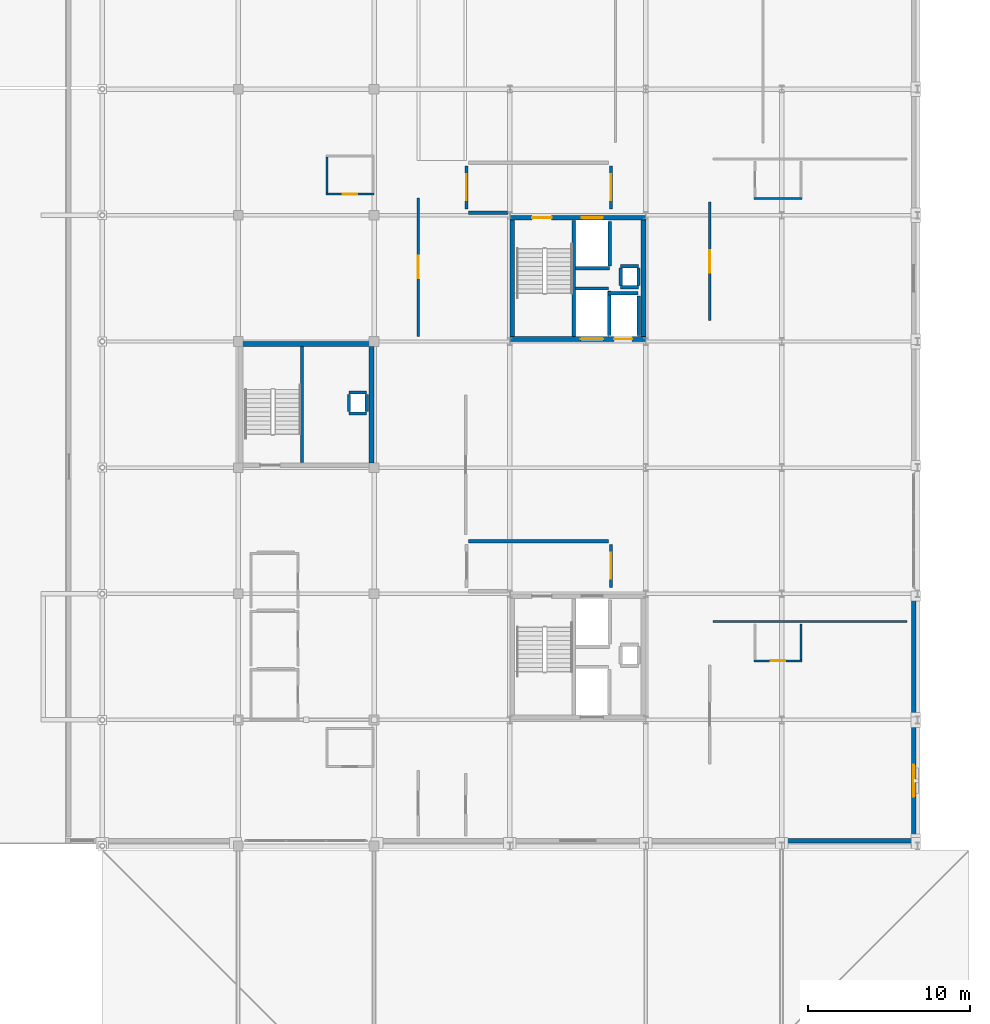
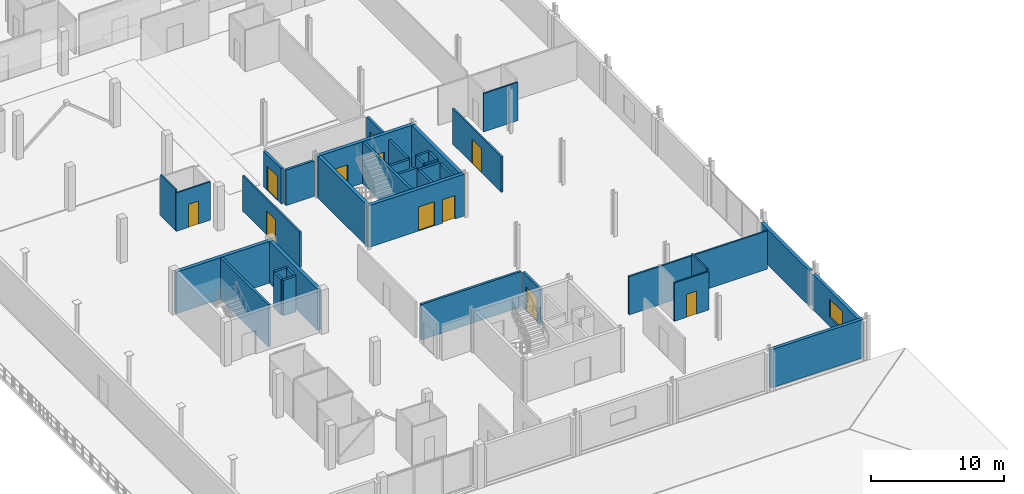
# One storey, part 17 of 25: 38 walls, 11 doors, 1 window, 12 openings.
"""IFC4 building model written with IfcOpenShell, lengths in metres."""

import ifcopenshell
import ifcopenshell.guid

model = None  # the IFC model being written
_history = None  # IfcOwnerHistory: only IFC2X3 demands one
_inside = {}  # id of a spatial element -> (the spatial element, [elements in it])
_under = {}  # id of a project, library or spatial element -> (it, [spatial elements below it])
_declared = {}  # id of a project -> (the project, [libraries it declares])
_typed = {}  # id of a type object -> (the type object, [elements of that type])
_made_of = {}  # id of a material, layer set ... -> (it, [elements and type objects made of it])


def new_model(schema):
    """Start an empty IFC model of exactly this schema.

    Asked for "IFC4X3", IfcOpenShell would pick the latest addendum, in which some entities
    have other attributes; the version numbers below select the first issue.
    IFC2X3 requires an IfcOwnerHistory on every rooted entity: one is made here for all.
    """
    global model, _history
    if schema == "IFC4X3":
        model = ifcopenshell.file(schema_version=(4, 3, 0, 0))
    else:
        model = ifcopenshell.file(schema=schema)
    _inside.clear()
    _under.clear()
    _declared.clear()
    _typed.clear()
    _made_of.clear()
    _history = None
    if model.schema == "IFC2X3":
        org = make("IfcOrganization", Name="unknown")
        user = make(
            "IfcPersonAndOrganization",
            ThePerson=make("IfcPerson", FamilyName="unknown"),
            TheOrganization=org,
        )
        app = make(
            "IfcApplication",
            ApplicationDeveloper=org,
            Version="unknown",
            ApplicationFullName="unknown",
            ApplicationIdentifier="unknown",
        )
        _history = make(
            "IfcOwnerHistory",
            OwningUser=user,
            OwningApplication=app,
            ChangeAction="ADDED",
            CreationDate=0,
        )
    return model


def make(cls, **values):
    """One entity of the class cls with the attributes given. An attribute that is None is left unset."""
    return model.create_entity(
        cls, **{name: value for name, value in values.items() if value is not None}
    )


def rooted(cls, **values):
    """An entity with a GlobalId (a new one), such as an element, a storey or a relation."""
    return make(cls, GlobalId=ifcopenshell.guid.new(), OwnerHistory=_history, **values)


def si_unit(unit_type, name, prefix=None):
    """IfcSIUnit, for example si_unit("LENGTHUNIT", "METRE", prefix="MILLI")."""
    return make("IfcSIUnit", UnitType=unit_type, Prefix=prefix, Name=name)


def assignment(units):
    """IfcUnitAssignment: the units of a project."""
    return None if units is None else make("IfcUnitAssignment", Units=units)


def point(xyz):
    """IfcCartesianPoint."""
    return None if xyz is None else make("IfcCartesianPoint", Coordinates=xyz)


def direction(xyz):
    """IfcDirection."""
    return None if xyz is None else make("IfcDirection", DirectionRatios=xyz)


def frame(location, z_axis=None, x_axis=None):
    """IfcAxis2Placement3D, a coordinate frame: its origin and axes. An axis left out is left unset."""
    return make(
        "IfcAxis2Placement3D",
        Location=point(location),
        Axis=direction(z_axis),
        RefDirection=direction(x_axis),
    )


def frame_2d(location, x_axis=None):
    """IfcAxis2Placement2D, a coordinate frame in the plane: its origin and x axis."""
    return make(
        "IfcAxis2Placement2D", Location=point(location), RefDirection=direction(x_axis)
    )


def origin():
    """The frame at (0, 0, 0) with its axes left unset."""
    return frame((0.0, 0.0, 0.0))


def place(relative_to, where):
    """IfcLocalPlacement: puts the frame where relative to a parent placement (None: the world)."""
    return make(
        "IfcLocalPlacement", PlacementRelTo=relative_to, RelativePlacement=where
    )


def context(
    kind, dimensions, precision=None, world=None, true_north=None, identifier=None
):
    """IfcGeometricRepresentationContext, for example the 3D "Model" context."""
    return make(
        "IfcGeometricRepresentationContext",
        ContextIdentifier=identifier,
        ContextType=kind,
        CoordinateSpaceDimension=dimensions,
        Precision=precision,
        WorldCoordinateSystem=world,
        TrueNorth=true_north,
    )


def subcontext(parent, identifier, kind, view, scale=None):
    """IfcGeometricRepresentationSubContext, for example "Body" below "Model"."""
    return make(
        "IfcGeometricRepresentationSubContext",
        ContextIdentifier=identifier,
        ContextType=kind,
        ParentContext=parent,
        TargetScale=scale,
        TargetView=view,
    )


def project(units=None, contexts=None):
    """IfcProject with its units and contexts."""
    return rooted(
        "IfcProject",
        Name="project",
        RepresentationContexts=contexts,
        UnitsInContext=assignment(units),
    )


def spatial(cls, under=None, at=None, **own):
    """A site, building, storey or space (cls), placed at a placement, below another one or the project."""
    s = rooted(cls, ObjectPlacement=at, **own)
    if under is not None:
        _under.setdefault(under.id(), (under, []))[1].append(s)
    return s


def profile(cls, at=None, kind="AREA", **sizes):
    """A parametric profile (cls). Its sizes go by their IFC names, for example OverallWidth=200.0."""
    return make(cls, ProfileType=kind, Position=at, **sizes)


def rectangle(**sizes):
    """IfcRectangleProfileDef."""
    return profile("IfcRectangleProfileDef", **sizes)


def extrude(swept, where, along, depth):
    """IfcExtrudedAreaSolid: the profile swept, set in the frame where, extruded along a direction by depth."""
    return make(
        "IfcExtrudedAreaSolid",
        SweptArea=swept,
        Position=where,
        ExtrudedDirection=direction(along),
        Depth=depth,
    )


def shape(context_of_items, identifier, shape_type, items):
    """IfcShapeRepresentation: the items that make up one representation, for example the "Body"."""
    return make(
        "IfcShapeRepresentation",
        ContextOfItems=context_of_items,
        RepresentationIdentifier=identifier,
        RepresentationType=shape_type,
        Items=items,
    )


def material(Name=None, Category=None):
    """IfcMaterial."""
    return make("IfcMaterial", Name=Name, Category=Category)


def layer(
    of_material, thickness, ventilated=None, Name=None, Category=None, Priority=None
):
    """IfcMaterialLayer: one layer of a wall or slab, of a material (None: an air gap)."""
    return make(
        "IfcMaterialLayer",
        Material=of_material,
        LayerThickness=thickness,
        IsVentilated=ventilated,
        Name=Name,
        Category=Category,
        Priority=Priority,
    )


def layer_set(layers, Name=None):
    """IfcMaterialLayerSet."""
    return make("IfcMaterialLayerSet", MaterialLayers=layers, LayerSetName=Name)


def made_of(thing, what):
    """Note that an element or type object is made of a material, layer set ...; save() writes the relation."""
    if what is not None:
        _made_of.setdefault(what.id(), (what, []))[1].append(thing)
    return thing


def type_object(cls, material=None, **own):
    """A type object (cls), such as IfcWallType, which elements share."""
    return made_of(rooted(cls, **own), material)


def element(
    cls,
    number,
    at=None,
    inside=None,
    cuts=None,
    type_object=None,
    material=None,
    context=None,
    identifier="Body",
    shape_type=None,
    held_by="IfcProductDefinitionShape",
    body=None,
    shapes=None,
    **own,
):
    """One element of the class cls, such as IfcWall. Its Tag is "e" and its number.

    at: its placement. inside: the storey or other place that contains it. cuts: it is an
    opening in that element (IfcRelVoidsElement). A single representation is given by context,
    identifier, shape_type and body (its items); several are given by shapes. held_by: the class
    of the entity that holds the representations. save() writes the other relations.
    """
    e = rooted(cls, Tag="e%d" % number, ObjectPlacement=at, **own)
    if body is not None:
        shapes = [shape(context, identifier, shape_type, body)]
    if shapes is not None:
        e.Representation = make(held_by, Representations=shapes)
    if inside is not None:
        _inside.setdefault(inside.id(), (inside, []))[1].append(e)
    if cuts is not None:
        rooted(
            "IfcRelVoidsElement", RelatingBuildingElement=cuts, RelatedOpeningElement=e
        )
    if type_object is not None:
        _typed.setdefault(type_object.id(), (type_object, []))[1].append(e)
    return made_of(e, material)


def fill(opening, filler):
    """IfcRelFillsElement: the door or window that sits in an opening."""
    return rooted(
        "IfcRelFillsElement",
        RelatingOpeningElement=opening,
        RelatedBuildingElement=filler,
    )


def aggregate(whole, parts):
    """IfcRelAggregates: a whole, such as a stair, and the parts it consists of."""
    return rooted("IfcRelAggregates", RelatingObject=whole, RelatedObjects=parts)


def save(model, path):
    """Write the relations noted so far, then the file.

    IfcRelAggregates (storeys below a building ...), IfcRelContainedInSpatialStructure (elements
    in a storey), IfcRelDefinesByType, IfcRelAssociatesMaterial and IfcRelDeclares: one each for
    every whole, place, type object, material and project.
    """
    for whole, parts in _under.values():
        aggregate(whole, parts)
    for where, things in _inside.values():
        rooted(
            "IfcRelContainedInSpatialStructure",
            RelatedElements=things,
            RelatingStructure=where,
        )
    for kind, things in _typed.values():
        rooted("IfcRelDefinesByType", RelatedObjects=things, RelatingType=kind)
    for what, things in _made_of.values():
        rooted("IfcRelAssociatesMaterial", RelatedObjects=things, RelatingMaterial=what)
    for by, libraries in _declared.values():
        rooted("IfcRelDeclares", RelatingContext=by, RelatedDefinitions=libraries)
    model.write(path)


model = new_model("IFC4")

# Units and contexts
model_context = context("Model", 3, precision=1e-05, world=origin(), true_north=direction((0.0, 1.0)))
body_context = subcontext(model_context, "Body", "Model", "MODEL_VIEW")
ifc_project = project(units=[si_unit("LENGTHUNIT", "METRE"), si_unit("AREAUNIT", "SQUARE_METRE"), si_unit("VOLUMEUNIT", "CUBIC_METRE"), si_unit("PLANEANGLEUNIT", "RADIAN"), si_unit("MASSUNIT", "GRAM", prefix="KILO")], contexts=[model_context])

# Site, building, storey
site_placement = place(None, origin())
site = spatial("IfcSite", under=ifc_project, at=site_placement, CompositionType="ELEMENT")
building_placement = place(site_placement, origin())
building = spatial("IfcBuilding", under=site, at=building_placement, Name="Nabrawat Pavilion Hospital", CompositionType="ELEMENT")
storey_placement = place(building_placement, frame((0.0, 0.0, 22.949951171875)))
storey = spatial("IfcBuildingStorey", under=building, at=storey_placement, Name="L05", CompositionType="ELEMENT", Elevation=22.949951171875)

# Wall, opening, door
ifc_material_1 = material(Name="Gypsum Fireboard on Steel Stud", Category="steel")
ifc_layer_1 = layer(ifc_material_1, 0.14990234375, Name="Gypsum Fireboard on Steel Stud")
ifc_layer_set_1 = layer_set([ifc_layer_1], Name="Gypsum Fireboard on Steel Stud")
wall_type_1 = type_object("IfcWallType", Name="Clinical Corridor Smoke-Barrier Wall 150", PredefinedType="PARTITIONING", material=ifc_layer_set_1)
wall_1_placement = place(storey_placement, frame((162.3349609375, 70.52001953125, 0.0), z_axis=(0.0, 0.0, 1.0), x_axis=(0.0, 1.0, 0.0)))
wall_1 = element("IfcWall", 1, at=wall_1_placement, inside=storey, type_object=wall_type_1, Name="L05 Inpatient Ward Supportive Care Suite L05-02 Front Partition", PredefinedType="PARTITIONING", context=body_context, shape_type="SweptSolid", body=[
    extrude(rectangle(XDim=8.550048828125, YDim=0.14990234375, at=frame_2d((4.27490234375, 0.0))), origin(), (0.0, 0.0, 1.0), 3.25),
])
opening_1_placement = place(wall_1_placement, frame((3.574951171875, 0.0, 0.0)))
opening_1 = element("IfcOpeningElement", 2, at=opening_1_placement, cuts=wall_1, Name="Opening D-BED", PredefinedType="OPENING", context=body_context, shape_type="SweptSolid", body=[
    extrude(rectangle(XDim=1.39990234375, YDim=2.199951171875, at=frame_2d((0.699951171875, 1.10009765625))), frame((0.0, 0.0849609375, 0.0), z_axis=(0.0, -1.0, 0.0), x_axis=(1.0, 0.0, 0.0)), (0.0, 0.0, 1.0), 0.169921875),
])
ifc_material_2 = material(Name="Stainless-Clad Acoustic Timber and Vision Glass", Category="wood")
door_type_1 = type_object("IfcDoorType", Name="D-BED Inpatient Ward Leaf-and-a-Half Door 1400x2200", OperationType="NOTDEFINED", PredefinedType="DOOR", material=ifc_material_2)
door_1_placement = place(opening_1_placement, origin())
door_1 = element("IfcDoor", 3, at=door_1_placement, inside=storey, type_object=door_type_1, Name="Inpatient Ward Supportive Care Suite L05-02 Door", OperationType="SINGLE_SWING_RIGHT", OverallHeight=2.199951171875, OverallWidth=1.39990234375, PredefinedType="DOOR", context=body_context, shape_type="SweptSolid", body=[
    extrude(rectangle(XDim=1.39990234375, YDim=2.199951171875, at=frame_2d((0.699951171875, 1.10009765625))), frame((0.0, 0.02490234375, 0.0), z_axis=(0.0, -1.0, 0.0), x_axis=(1.0, 0.0, 0.0)), (0.0, 0.0, 1.0), 0.050048828125),
])
fill(opening_1, door_1)

wall_2_placement = place(storey_placement, frame((180.35009765625, 71.47998046875, 0.0), z_axis=(0.0, 0.0, 1.0), x_axis=(0.0, 1.0, 0.0)))
wall_2 = element("IfcWall", 4, at=wall_2_placement, inside=storey, type_object=wall_type_1, Name="L05 Inpatient Ward Oncology Boulevard Suite L05-E4 Front Partition", PredefinedType="PARTITIONING", context=body_context, shape_type="SweptSolid", body=[
    extrude(rectangle(XDim=7.330078125, YDim=0.14990234375, at=frame_2d((3.6650390625, 0.0))), origin(), (0.0, 0.0, 1.0), 3.25),
])
opening_2_placement = place(wall_2_placement, frame((2.965087890625, 0.0, 0.0)))
opening_2 = element("IfcOpeningElement", 5, at=opening_2_placement, cuts=wall_2, Name="Opening D-BED", PredefinedType="OPENING", context=body_context, shape_type="SweptSolid", body=[
    extrude(rectangle(XDim=1.39990234375, YDim=2.199951171875, at=frame_2d((0.699951171875, 1.10009765625))), frame((0.0, 0.0849609375, 0.0), z_axis=(0.0, -1.0, 0.0), x_axis=(1.0, 0.0, 0.0)), (0.0, 0.0, 1.0), 0.169921875),
])
door_2_placement = place(opening_2_placement, origin())
door_2 = element("IfcDoor", 6, at=door_2_placement, inside=storey, type_object=door_type_1, Name="Inpatient Ward Oncology Boulevard Suite L05-E4 Door", OperationType="SINGLE_SWING_RIGHT", OverallHeight=2.199951171875, OverallWidth=1.39990234375, PredefinedType="DOOR", context=body_context, shape_type="SweptSolid", body=[
    extrude(rectangle(XDim=1.39990234375, YDim=2.199951171875, at=frame_2d((0.699951171875, 1.10009765625))), frame((0.0, 0.02490234375, 0.0), z_axis=(0.0, -1.0, 0.0), x_axis=(1.0, 0.0, 0.0)), (0.0, 0.0, 1.0), 0.050048828125),
])
fill(opening_2, door_2)

ifc_material_3 = material(Name="Cement Board on Steel Stud", Category="steel")
ifc_layer_2 = layer(ifc_material_3, 0.1298828125, Name="Cement Board on Steel Stud")
ifc_layer_set_2 = layer_set([ifc_layer_2], Name="Cement Board on Steel Stud")
wall_type_2 = type_object("IfcWallType", Name="En-Suite Moisture-Resistant Partition 130", PredefinedType="PARTITIONING", material=ifc_layer_set_2)
wall_3_placement = place(storey_placement, frame((156.6201171875, 79.31005859375, 0.0), z_axis=(0.0, 0.0, 1.0), x_axis=(1.0, 0.0, 0.0)))
wall_3 = element("IfcWall", 7, at=wall_3_placement, inside=storey, type_object=wall_type_2, Name="L05 En-Suite Bathroom WRD-PAL-02 Front Partition", PredefinedType="PARTITIONING", context=body_context, shape_type="SweptSolid", body=[
    extrude(rectangle(XDim=2.97998046875, YDim=0.1298828125, at=frame_2d((1.489990234375, 0.0))), origin(), (0.0, 0.0, 1.0), 3.510009765625),
])
opening_3_placement = place(wall_3_placement, frame((1.0400390625, 0.0, 0.0)))
opening_3 = element("IfcOpeningElement", 8, at=opening_3_placement, cuts=wall_3, Name="Opening D-ENS-R", PredefinedType="OPENING", context=body_context, shape_type="SweptSolid", body=[
    extrude(rectangle(XDim=0.89990234375, YDim=2.10009765625, at=frame_2d((0.449951171875, 1.050048828125))), frame((0.0, 0.074951171875, 0.0), z_axis=(0.0, -1.0, 0.0), x_axis=(1.0, 0.0, 0.0)), (0.0, 0.0, 1.0), 0.14990234375),
])
door_type_2 = type_object("IfcDoorType", Name="En-Suite Bathroom Outward Door R 900x2100", OperationType="NOTDEFINED", PredefinedType="DOOR", material=ifc_material_2)
door_3_placement = place(opening_3_placement, origin())
door_3 = element("IfcDoor", 9, at=door_3_placement, inside=storey, type_object=door_type_2, Name="En-Suite Bathroom WRD-PAL-02 Door", OperationType="SINGLE_SWING_LEFT", OverallHeight=2.10009765625, OverallWidth=0.89990234375, PredefinedType="DOOR", context=body_context, shape_type="SweptSolid", body=[
    extrude(rectangle(XDim=0.89990234375, YDim=2.10009765625, at=frame_2d((0.449951171875, 1.050048828125))), frame((0.0, 0.02490234375, 0.0), z_axis=(0.0, -1.0, 0.0), x_axis=(1.0, 0.0, 0.0)), (0.0, 0.0, 1.0), 0.050048828125),
])
fill(opening_3, door_3)

# Wall
wall_4_placement = place(storey_placement, frame((156.68505859375, 79.375, 0.0), z_axis=(0.0, 0.0, 1.0), x_axis=(0.0, 1.0, 0.0)))
element("IfcWall", 10, at=wall_4_placement, inside=storey, type_object=wall_type_2, Name="L05 En-Suite Bathroom WRD-PAL-02 West Partition", PredefinedType="PARTITIONING", context=body_context, shape_type="SweptSolid", body=[
    extrude(rectangle(XDim=2.219970703125, YDim=0.1298828125, at=frame_2d((1.10986328125, 0.0))), origin(), (0.0, 0.0, 1.0), 3.77001953125),
])

# Wall, opening, door
wall_5_placement = place(storey_placement, frame((183.0849609375, 50.449951171875, 0.0), z_axis=(0.0, 0.0, 1.0), x_axis=(1.0, 0.0, 0.0)))
wall_5 = element("IfcWall", 11, at=wall_5_placement, inside=storey, type_object=wall_type_2, Name="L05 En-Suite Bathroom WRD-ONC-E1 Front Partition", PredefinedType="PARTITIONING", context=body_context, shape_type="SweptSolid", body=[
    extrude(rectangle(XDim=2.97998046875, YDim=0.1298828125, at=frame_2d((1.489990234375, 0.0))), origin(), (0.0, 0.0, 1.0), 3.510009765625),
])
opening_4_placement = place(wall_5_placement, frame((1.0400390625, 0.0, 0.0)))
opening_4 = element("IfcOpeningElement", 12, at=opening_4_placement, cuts=wall_5, Name="Opening D-ENS-R", PredefinedType="OPENING", context=body_context, shape_type="SweptSolid", body=[
    extrude(rectangle(XDim=0.89990234375, YDim=2.10009765625, at=frame_2d((0.449951171875, 1.050048828125))), frame((0.0, 0.074951171875, 0.0), z_axis=(0.0, -1.0, 0.0), x_axis=(1.0, 0.0, 0.0)), (0.0, 0.0, 1.0), 0.14990234375),
])
door_4_placement = place(opening_4_placement, origin())
door_4 = element("IfcDoor", 13, at=door_4_placement, inside=storey, type_object=door_type_2, Name="En-Suite Bathroom WRD-ONC-E1 Door", OperationType="SINGLE_SWING_LEFT", OverallHeight=2.10009765625, OverallWidth=0.89990234375, PredefinedType="DOOR", context=body_context, shape_type="SweptSolid", body=[
    extrude(rectangle(XDim=0.89990234375, YDim=2.10009765625, at=frame_2d((0.449951171875, 1.050048828125))), frame((0.0, 0.02490234375, 0.0), z_axis=(0.0, -1.0, 0.0), x_axis=(1.0, 0.0, 0.0)), (0.0, 0.0, 1.0), 0.050048828125),
])
fill(opening_4, door_4)

# Walls
wall_6_placement = place(storey_placement, frame((186.0, 50.514892578125, 0.0), z_axis=(0.0, 0.0, 1.0), x_axis=(0.0, 1.0, 0.0)))
element("IfcWall", 14, at=wall_6_placement, inside=storey, type_object=wall_type_2, Name="L05 En-Suite Bathroom WRD-ONC-E1 East Partition", PredefinedType="PARTITIONING", context=body_context, shape_type="SweptSolid", body=[
    extrude(rectangle(XDim=2.22021484375, YDim=0.1298828125, at=frame_2d((1.110107421875, 0.0))), origin(), (0.0, 0.0, 1.0), 3.77001953125),
])
wall_7_placement = place(storey_placement, frame((183.0849609375, 79.050048828125, 0.0), z_axis=(0.0, 0.0, 1.0), x_axis=(1.0, 0.0, 0.0)))
element("IfcWall", 15, at=wall_7_placement, inside=storey, type_object=wall_type_2, Name="L05 En-Suite Bathroom WRD-ONC-E4 Front Partition", PredefinedType="PARTITIONING", context=body_context, shape_type="SweptSolid", body=[
    extrude(rectangle(XDim=2.97998046875, YDim=0.1298828125, at=frame_2d((1.489990234375, 0.0))), origin(), (0.0, 0.0, 1.0), 3.510009765625),
])
ifc_material_4 = material(Name="Concrete C35/45", Category="concrete")
ifc_layer_3 = layer(ifc_material_4, 0.199951171875, Name="Concrete C35/45")
ifc_layer_set_3 = layer_set([ifc_layer_3], Name="Concrete C35/45")
wall_type_3 = type_object("IfcWallType", Name="Firefighting Lobby Compartment Wall 200", PredefinedType="PARTITIONING", material=ifc_layer_set_3)
wall_8_placement = place(storey_placement, frame((165.43994140625, 57.85009765625, 0.0), z_axis=(0.0, 0.0, 1.0), x_axis=(1.0, 0.0, 0.0)))
element("IfcWall", 16, at=wall_8_placement, inside=storey, type_object=wall_type_3, Name="L05 CORE-5 Firefighting Lobby North Compartment Wall", PredefinedType="PARTITIONING", context=body_context, shape_type="SweptSolid", body=[
    extrude(rectangle(XDim=8.66015625, YDim=0.199951171875, at=frame_2d((4.330078125, 0.0))), origin(), (0.0, 0.0, 1.0), 3.25),
])

# Wall, opening, door
wall_9_placement = place(storey_placement, frame((174.25, 55.0, 0.0), z_axis=(0.0, 0.0, 1.0), x_axis=(0.0, 1.0, 0.0)))
wall_9 = element("IfcWall", 17, at=wall_9_placement, inside=storey, type_object=wall_type_3, Name="L05 CORE-5 Firefighting Lobby East Compartment Wall", PredefinedType="PARTITIONING", context=body_context, shape_type="SweptSolid", body=[
    extrude(rectangle(XDim=2.64990234375, YDim=0.199951171875, at=frame_2d((1.324951171875, 0.0))), origin(), (0.0, 0.0, 1.0), 3.25),
])
opening_5_placement = place(wall_9_placement, frame((0.52490234375, 0.0, 0.0)))
opening_5 = element("IfcOpeningElement", 18, at=opening_5_placement, cuts=wall_9, Name="Opening D-FFL", PredefinedType="OPENING", context=body_context, shape_type="SweptSolid", body=[
    extrude(rectangle(XDim=1.60009765625, YDim=2.199951171875, at=frame_2d((0.800048828125, 1.10009765625))), frame((0.0, 0.10986328125, 0.0), z_axis=(0.0, -1.0, 0.0), x_axis=(1.0, 0.0, 0.0)), (0.0, 0.0, 1.0), 0.219970703125),
])
door_type_3 = type_object("IfcDoorType", Name="D-FFL Firefighting Lobby Double Smoke Door 1600x2200", OperationType="NOTDEFINED", PredefinedType="DOOR", material=ifc_material_2)
door_5_placement = place(opening_5_placement, origin())
door_5 = element("IfcDoor", 19, at=door_5_placement, inside=storey, type_object=door_type_3, Name="L05 CORE-5 Firefighting Lobby East Smoke Door", OperationType="DOUBLE_DOOR_SINGLE_SWING", OverallHeight=2.199951171875, OverallWidth=1.60009765625, PredefinedType="DOOR", context=body_context, shape_type="SweptSolid", body=[
    extrude(rectangle(XDim=1.60009765625, YDim=2.199951171875, at=frame_2d((0.800048828125, 1.10009765625))), frame((0.0, 0.02490234375, 0.0), z_axis=(0.0, -1.0, 0.0), x_axis=(1.0, 0.0, 0.0)), (0.0, 0.0, 1.0), 0.050048828125),
])
fill(opening_5, door_5)

# Wall
wall_10_placement = place(storey_placement, frame((165.43994140625, 78.14990234375, 0.0), z_axis=(0.0, 0.0, 1.0), x_axis=(1.0, 0.0, 0.0)))
element("IfcWall", 20, at=wall_10_placement, inside=storey, type_object=wall_type_3, Name="L05 CORE-6 Firefighting Lobby South Return Wall", PredefinedType="PARTITIONING", context=body_context, shape_type="SweptSolid", body=[
    extrude(rectangle(XDim=2.43994140625, YDim=0.199951171875, at=frame_2d((1.219970703125, 0.0))), origin(), (0.0, 0.0, 1.0), 3.25),
])

# Wall, opening, door
wall_11_placement = place(storey_placement, frame((165.320068359375, 78.39990234375, 0.0), z_axis=(0.0, 0.0, 1.0), x_axis=(0.0, 1.0, 0.0)))
wall_11 = element("IfcWall", 21, at=wall_11_placement, inside=storey, type_object=wall_type_3, Name="L05 CORE-6 Firefighting Lobby West Compartment Wall", PredefinedType="PARTITIONING", context=body_context, shape_type="SweptSolid", body=[
    extrude(rectangle(XDim=2.650146484375, YDim=0.199951171875, at=frame_2d((1.3251953125, 0.0))), origin(), (0.0, 0.0, 1.0), 3.25),
])
opening_6_placement = place(wall_11_placement, frame((0.52490234375, 0.0, 0.0)))
opening_6 = element("IfcOpeningElement", 22, at=opening_6_placement, cuts=wall_11, Name="Opening D-FFL", PredefinedType="OPENING", context=body_context, shape_type="SweptSolid", body=[
    extrude(rectangle(XDim=1.60009765625, YDim=2.199951171875, at=frame_2d((0.800048828125, 1.10009765625))), frame((0.0, 0.10986328125, 0.0), z_axis=(0.0, -1.0, 0.0), x_axis=(1.0, 0.0, 0.0)), (0.0, 0.0, 1.0), 0.219970703125),
])
door_6_placement = place(opening_6_placement, origin())
door_6 = element("IfcDoor", 23, at=door_6_placement, inside=storey, type_object=door_type_3, Name="L05 CORE-6 Firefighting Lobby West Smoke Door", OperationType="DOUBLE_DOOR_SINGLE_SWING", OverallHeight=2.199951171875, OverallWidth=1.60009765625, PredefinedType="DOOR", context=body_context, shape_type="SweptSolid", body=[
    extrude(rectangle(XDim=1.60009765625, YDim=2.199951171875, at=frame_2d((0.800048828125, 1.10009765625))), frame((0.0, 0.02490234375, 0.0), z_axis=(0.0, -1.0, 0.0), x_axis=(1.0, 0.0, 0.0)), (0.0, 0.0, 1.0), 0.050048828125),
])
fill(opening_6, door_6)

wall_12_placement = place(storey_placement, frame((174.25, 78.39990234375, 0.0), z_axis=(0.0, 0.0, 1.0), x_axis=(0.0, 1.0, 0.0)))
wall_12 = element("IfcWall", 24, at=wall_12_placement, inside=storey, type_object=wall_type_3, Name="L05 CORE-6 Firefighting Lobby East Compartment Wall", PredefinedType="PARTITIONING", context=body_context, shape_type="SweptSolid", body=[
    extrude(rectangle(XDim=2.650146484375, YDim=0.199951171875, at=frame_2d((1.3251953125, 0.0))), origin(), (0.0, 0.0, 1.0), 3.25),
])
opening_7_placement = place(wall_12_placement, frame((0.52490234375, 0.0, 0.0)))
opening_7 = element("IfcOpeningElement", 25, at=opening_7_placement, cuts=wall_12, Name="Opening D-FFL", PredefinedType="OPENING", context=body_context, shape_type="SweptSolid", body=[
    extrude(rectangle(XDim=1.60009765625, YDim=2.199951171875, at=frame_2d((0.800048828125, 1.10009765625))), frame((0.0, 0.10986328125, 0.0), z_axis=(0.0, -1.0, 0.0), x_axis=(1.0, 0.0, 0.0)), (0.0, 0.0, 1.0), 0.219970703125),
])
door_7_placement = place(opening_7_placement, origin())
door_7 = element("IfcDoor", 26, at=door_7_placement, inside=storey, type_object=door_type_3, Name="L05 CORE-6 Firefighting Lobby East Smoke Door", OperationType="DOUBLE_DOOR_SINGLE_SWING", OverallHeight=2.199951171875, OverallWidth=1.60009765625, PredefinedType="DOOR", context=body_context, shape_type="SweptSolid", body=[
    extrude(rectangle(XDim=1.60009765625, YDim=2.199951171875, at=frame_2d((0.800048828125, 1.10009765625))), frame((0.0, 0.02490234375, 0.0), z_axis=(0.0, -1.0, 0.0), x_axis=(1.0, 0.0, 0.0)), (0.0, 0.0, 1.0), 0.050048828125),
])
fill(opening_7, door_7)

# Walls
ifc_material_5 = material(Name="Acoustic Gypsum on Steel Stud", Category="steel")
ifc_layer_4 = layer(ifc_material_5, 0.139892578125, Name="Acoustic Gypsum on Steel Stud")
ifc_layer_set_4 = layer_set([ifc_layer_4], Name="Acoustic Gypsum on Steel Stud")
wall_type_4 = type_object("IfcWallType", Name="Inpatient Ward Acoustic Partition 140", PredefinedType="PARTITIONING", material=ifc_layer_set_4)
wall_13_placement = place(storey_placement, frame((180.570068359375, 52.8798828125, 0.0), z_axis=(0.0, 0.0, 1.0), x_axis=(1.0, 0.0, 0.0)))
element("IfcWall", 27, at=wall_13_placement, inside=storey, type_object=wall_type_4, Name="L05 Inpatient Ward Oncology Boulevard Suite L05-E1 Dividing Partition", PredefinedType="PARTITIONING", context=body_context, shape_type="SweptSolid", body=[
    extrude(rectangle(XDim=11.97998046875, YDim=0.139892578125, at=frame_2d((5.989990234375, 0.0))), origin(), (0.0, 0.0, 1.0), 3.510009765625),
])
ifc_material_6 = material(Name="Precast concrete C40/50", Category="concrete")
ifc_layer_5 = layer(ifc_material_6, 0.280029296875, Name="Precast concrete C40/50")
ifc_layer_set_5 = layer_set([ifc_layer_5], Name="Precast concrete C40/50")
wall_type_5 = type_object("IfcWallType", Name="Insulated Precast Facade Wall 280", PredefinedType="SOLIDWALL", material=ifc_layer_set_5)
wall_14_placement = place(storey_placement, frame((185.0, 39.340087890625, 0.0), z_axis=(0.0, 0.0, 1.0), x_axis=(1.0, 0.0, 0.0)))
element("IfcWall", 28, at=wall_14_placement, inside=storey, type_object=wall_type_5, Name="L05 Insulated Precast Facade Wall 280 388", PredefinedType="SOLIDWALL", context=body_context, shape_type="SweptSolid", body=[
    extrude(rectangle(XDim=8.0, YDim=0.280029296875, at=frame_2d((4.0, 0.0))), origin(), (0.0, 0.0, 1.0), 3.510009765625),
])

# Wall, opening, window
wall_15_placement = place(storey_placement, frame((192.97998046875, 39.56005859375, 0.0), z_axis=(0.0, 0.0, 1.0), x_axis=(0.0, 1.0, 0.0)))
wall_15 = element("IfcWall", 29, at=wall_15_placement, inside=storey, type_object=wall_type_5, Name="L05 Insulated Precast Facade Wall 280 390", PredefinedType="SOLIDWALL", context=body_context, shape_type="SweptSolid", body=[
    extrude(rectangle(XDim=6.96484375, YDim=0.280029296875, at=frame_2d((3.482421875, 0.0))), origin(), (0.0, 0.0, 1.0), 3.25),
])
opening_8_placement = place(wall_15_placement, frame((2.482421875, 0.0, 0.85009765625)))
opening_8 = element("IfcOpeningElement", 30, at=opening_8_placement, cuts=wall_15, Name="Opening WN-12", PredefinedType="OPENING", context=body_context, shape_type="SweptSolid", body=[
    extrude(rectangle(XDim=2.0, YDim=1.64990234375, at=frame_2d((1.0, 0.824951171875))), frame((0.0, 0.14990234375, 0.0), z_axis=(0.0, -1.0, 0.0), x_axis=(1.0, 0.0, 0.0)), (0.0, 0.0, 1.0), 0.300048828125),
])
ifc_material_7 = material(Name="Thermally Broken Aluminium and Solar Glass", Category="aluminium")
window_type = type_object("IfcWindowType", Name="ICU Observation Daylight Window 2000x1650", PartitioningType="SINGLE_PANEL", PredefinedType="WINDOW", material=ifc_material_7)
window_placement = place(opening_8_placement, origin())
window = element("IfcWindow", 31, at=window_placement, inside=storey, type_object=window_type, Name="L05 ICU Observation Daylight Window 2000x1650 140", OverallHeight=1.64990234375, OverallWidth=2.0, PartitioningType="SINGLE_PANEL", PredefinedType="WINDOW", context=body_context, shape_type="SweptSolid", body=[
    extrude(rectangle(XDim=2.0, YDim=1.64990234375, at=frame_2d((1.0, 0.824951171875))), frame((0.0, 0.030029296875, 0.0), z_axis=(0.0, -1.0, 0.0), x_axis=(1.0, 0.0, 0.0)), (0.0, 0.0, 1.0), 0.06005859375),
])
fill(opening_8, window)

# Walls
wall_16_placement = place(storey_placement, frame((192.97998046875, 47.074951171875, 0.0), z_axis=(0.0, 0.0, 1.0), x_axis=(0.0, 1.0, 0.0)))
element("IfcWall", 32, at=wall_16_placement, inside=storey, type_object=wall_type_5, Name="L05 Insulated Precast Facade Wall 280 391", PredefinedType="SOLIDWALL", context=body_context, shape_type="SweptSolid", body=[
    extrude(rectangle(XDim=7.25, YDim=0.280029296875, at=frame_2d((3.625, 0.0))), origin(), (0.0, 0.0, 1.0), 3.25),
])
ifc_layer_6 = layer(ifc_material_4, 0.199951171875, Name="Concrete C35/45")
ifc_layer_set_6 = layer_set([ifc_layer_6], Name="Concrete C35/45")
wall_type_6 = type_object("IfcWallType", Name="Lift and Riser Fire Shaft Wall 200", PredefinedType="PARTITIONING", material=ifc_layer_set_6)
wall_17_placement = place(storey_placement, frame((171.949951171875, 70.52001953125, 0.0), z_axis=(0.0, 0.0, 1.0), x_axis=(0.0, 1.0, 0.0)))
element("IfcWall", 33, at=wall_17_placement, inside=storey, type_object=wall_type_6, Name="L05 CORE-6 Stair-Lift Dividing Shear Wall", PredefinedType="SHEAR", context=body_context, shape_type="SweptSolid", body=[
    extrude(rectangle(XDim=7.159912109375, YDim=0.199951171875, at=frame_2d((3.580078125, 0.0))), origin(), (0.0, 0.0, 1.0), 3.820068359375),
])
for number, where, z_axis, x_axis, name in (
    (34, (174.85009765625, 73.550048828125, 0.0), (0.0, 0.0, 1.0), (1.0, 0.0, 0.0), "L05 CORE-6 MEP Riser Shaft Wall S"),
    (35, (174.85009765625, 74.85009765625, 0.0), (0.0, 0.0, 1.0), (1.0, 0.0, 0.0), "L05 CORE-6 MEP Riser Shaft Wall N"),
):
    element("IfcWall", number, at=place(storey_placement, frame(where, z_axis=z_axis, x_axis=x_axis)), inside=storey, type_object=wall_type_6, Name=name, PredefinedType="PARTITIONING", context=body_context, shape_type="SweptSolid", body=[
        extrude(rectangle(XDim=1.099853515625, YDim=0.199951171875, at=frame_2d((0.5498046875, 0.0))), origin(), (0.0, 0.0, 1.0), 3.25),
    ])
for number, where, z_axis, x_axis, name in (
    (36, (174.85009765625, 73.669921875, 0.0), (0.0, 0.0, 1.0), (0.0, 1.0, 0.0), "L05 CORE-6 MEP Riser Shaft Wall W"),
    (37, (175.949951171875, 73.669921875, 0.0), (0.0, 0.0, 1.0), (0.0, 1.0, 0.0), "L05 CORE-6 MEP Riser Shaft Wall E"),
):
    element("IfcWall", number, at=place(storey_placement, frame(where, z_axis=z_axis, x_axis=x_axis)), inside=storey, type_object=wall_type_6, Name=name, PredefinedType="PARTITIONING", context=body_context, shape_type="SweptSolid", body=[
        extrude(rectangle(XDim=1.06005859375, YDim=0.199951171875, at=frame_2d((0.530029296875, 0.0))), origin(), (0.0, 0.0, 1.0), 3.25),
    ])
wall_18_placement = place(storey_placement, frame((174.179931640625, 74.8798828125, 0.0), z_axis=(0.0, 0.0, 1.0), x_axis=(0.0, 1.0, 0.0)))
element("IfcWall", 38, at=wall_18_placement, inside=storey, type_object=wall_type_6, Name="L05 Lift LF-02 Shaft East Wall", PredefinedType="PARTITIONING", context=body_context, shape_type="SweptSolid", body=[
    extrude(rectangle(XDim=2.740234375, YDim=0.199951171875, at=frame_2d((1.3701171875, 0.0))), origin(), (0.0, 0.0, 1.0), 3.25),
])
wall_19_placement = place(storey_placement, frame((172.050048828125, 74.719970703125, 0.0), z_axis=(0.0, 0.0, 1.0), x_axis=(1.0, 0.0, 0.0)))
element("IfcWall", 39, at=wall_19_placement, inside=storey, type_object=wall_type_6, Name="L05 Lift LF-02 Shaft Back Wall", PredefinedType="PARTITIONING", context=body_context, shape_type="SweptSolid", body=[
    extrude(rectangle(XDim=2.099853515625, YDim=0.199951171875, at=frame_2d((1.0498046875, 0.0))), origin(), (0.0, 0.0, 1.0), 3.25),
])
wall_20_placement = place(storey_placement, frame((174.139892578125, 70.580078125, 0.0), z_axis=(0.0, 0.0, 1.0), x_axis=(0.0, 1.0, 0.0)))
element("IfcWall", 40, at=wall_20_placement, inside=storey, type_object=wall_type_6, Name="L05 Lift LB-04 Shaft East Wall", PredefinedType="PARTITIONING", context=body_context, shape_type="SweptSolid", body=[
    extrude(rectangle(XDim=2.739990234375, YDim=0.199951171875, at=frame_2d((1.3701171875, 0.0))), origin(), (0.0, 0.0, 1.0), 3.25),
])
wall_21_placement = place(storey_placement, frame((172.050048828125, 73.47998046875, 0.0), z_axis=(0.0, 0.0, 1.0), x_axis=(1.0, 0.0, 0.0)))
element("IfcWall", 41, at=wall_21_placement, inside=storey, type_object=wall_type_6, Name="L05 Lift LB-04 Shaft Back Wall", PredefinedType="PARTITIONING", context=body_context, shape_type="SweptSolid", body=[
    extrude(rectangle(XDim=2.06005859375, YDim=0.199951171875, at=frame_2d((1.030029296875, 0.0))), origin(), (0.0, 0.0, 1.0), 3.25),
])
wall_22_placement = place(storey_placement, frame((175.9599609375, 70.580078125, 0.0), z_axis=(0.0, 0.0, 1.0), x_axis=(0.0, 1.0, 0.0)))
element("IfcWall", 42, at=wall_22_placement, inside=storey, type_object=wall_type_6, Name="L05 Lift LS-02 Shaft East Wall", PredefinedType="PARTITIONING", context=body_context, shape_type="SweptSolid", body=[
    extrude(rectangle(XDim=2.43994140625, YDim=0.199951171875, at=frame_2d((1.219970703125, 0.0))), origin(), (0.0, 0.0, 1.0), 3.25),
])
wall_23_placement = place(storey_placement, frame((174.070068359375, 73.179931640625, 0.0), z_axis=(0.0, 0.0, 1.0), x_axis=(1.0, 0.0, 0.0)))
element("IfcWall", 43, at=wall_23_placement, inside=storey, type_object=wall_type_6, Name="L05 Lift LS-02 Shaft Back Wall", PredefinedType="PARTITIONING", context=body_context, shape_type="SweptSolid", body=[
    extrude(rectangle(XDim=1.85986328125, YDim=0.199951171875, at=frame_2d((0.929931640625, 0.0))), origin(), (0.0, 0.0, 1.0), 3.25),
])
wall_24_placement = place(storey_placement, frame((155.14990234375, 62.719970703125, 0.0), z_axis=(0.0, 0.0, 1.0), x_axis=(0.0, 1.0, 0.0)))
element("IfcWall", 44, at=wall_24_placement, inside=storey, type_object=wall_type_6, Name="L05 CORE-9 Stair-Lift Dividing Shear Wall", PredefinedType="SHEAR", context=body_context, shape_type="SweptSolid", body=[
    extrude(rectangle(XDim=7.159912109375, YDim=0.199951171875, at=frame_2d((3.580078125, 0.0))), origin(), (0.0, 0.0, 1.0), 3.820068359375),
])
for number, where, z_axis, x_axis, name in (
    (45, (158.050048828125, 65.75, 0.0), (0.0, 0.0, 1.0), (1.0, 0.0, 0.0), "L05 CORE-9 MEP Riser Shaft Wall S"),
    (46, (158.050048828125, 67.050048828125, 0.0), (0.0, 0.0, 1.0), (1.0, 0.0, 0.0), "L05 CORE-9 MEP Riser Shaft Wall N"),
):
    element("IfcWall", number, at=place(storey_placement, frame(where, z_axis=z_axis, x_axis=x_axis)), inside=storey, type_object=wall_type_6, Name=name, PredefinedType="PARTITIONING", context=body_context, shape_type="SweptSolid", body=[
        extrude(rectangle(XDim=1.099853515625, YDim=0.199951171875, at=frame_2d((0.5498046875, 0.0))), origin(), (0.0, 0.0, 1.0), 3.25),
    ])
for number, where, z_axis, x_axis, name in (
    (47, (158.050048828125, 65.8701171875, 0.0), (0.0, 0.0, 1.0), (0.0, 1.0, 0.0), "L05 CORE-9 MEP Riser Shaft Wall W"),
    (48, (159.14990234375, 65.8701171875, 0.0), (0.0, 0.0, 1.0), (0.0, 1.0, 0.0), "L05 CORE-9 MEP Riser Shaft Wall E"),
):
    element("IfcWall", number, at=place(storey_placement, frame(where, z_axis=z_axis, x_axis=x_axis)), inside=storey, type_object=wall_type_6, Name=name, PredefinedType="PARTITIONING", context=body_context, shape_type="SweptSolid", body=[
        extrude(rectangle(XDim=1.059814453125, YDim=0.199951171875, at=frame_2d((0.52978515625, 0.0))), origin(), (0.0, 0.0, 1.0), 3.25),
    ])

# Wall, openings, doors
ifc_material_8 = material(Name="Concrete C40/50", Category="concrete")
ifc_layer_7 = layer(ifc_material_8, 0.300048828125, Name="Concrete C40/50")
ifc_layer_set_7 = layer_set([ifc_layer_7], Name="Concrete C40/50")
wall_type_7 = type_object("IfcWallType", Name="Reinforced Concrete Core Shear Wall 300", PredefinedType="SHEAR", material=ifc_layer_set_7)
wall_25_placement = place(storey_placement, frame((168.0, 70.35009765625, 0.0), z_axis=(0.0, 0.0, 1.0), x_axis=(1.0, 0.0, 0.0)))
wall_25 = element("IfcWall", 49, at=wall_25_placement, inside=storey, type_object=wall_type_7, Name="L05 CORE-6 South Core Shear Wall", PredefinedType="SHEAR", context=body_context, shape_type="SweptSolid", body=[
    extrude(rectangle(XDim=8.39990234375, YDim=0.300048828125, at=frame_2d((4.199951171875, 0.0))), origin(), (0.0, 0.0, 1.0), 3.820068359375),
])
opening_9_placement = place(wall_25_placement, frame((4.3798828125, 0.0, 0.0)))
opening_9 = element("IfcOpeningElement", 50, at=opening_9_placement, cuts=wall_25, Name="Opening LD-LB-04", PredefinedType="OPENING", context=body_context, shape_type="SweptSolid", body=[
    extrude(rectangle(XDim=1.39990234375, YDim=2.199951171875, at=frame_2d((0.699951171875, 1.10009765625))), frame((0.0, 0.16015625, 0.0), z_axis=(0.0, -1.0, 0.0), x_axis=(1.0, 0.0, 0.0)), (0.0, 0.0, 1.0), 0.320068359375),
])
opening_10_placement = place(wall_25_placement, frame((6.449951171875, 0.0, 0.0)))
opening_10 = element("IfcOpeningElement", 51, at=opening_10_placement, cuts=wall_25, Name="Opening LD-LS-02", PredefinedType="OPENING", context=body_context, shape_type="SweptSolid", body=[
    extrude(rectangle(XDim=1.10009765625, YDim=2.14990234375, at=frame_2d((0.550048828125, 1.074951171875))), frame((0.0, 0.16015625, 0.0), z_axis=(0.0, -1.0, 0.0), x_axis=(1.0, 0.0, 0.0)), (0.0, 0.0, 1.0), 0.320068359375),
])
door_type_4 = type_object("IfcDoorType", Name="Hospital Bed Lift Sliding Landing Door 1400x2200", OperationType="DOUBLE_DOOR_SLIDING", PredefinedType="DOOR", material=ifc_material_2)
door_8_placement = place(opening_9_placement, origin())
door_8 = element("IfcDoor", 52, at=door_8_placement, inside=storey, type_object=door_type_4, Name="L05 Lift LB-04 Sliding Landing Door", OperationType="DOUBLE_DOOR_SLIDING", OverallHeight=2.199951171875, OverallWidth=1.39990234375, PredefinedType="DOOR", context=body_context, shape_type="SweptSolid", body=[
    extrude(rectangle(XDim=1.39990234375, YDim=2.199951171875, at=frame_2d((0.699951171875, 1.10009765625))), frame((0.0, 0.02490234375, 0.0), z_axis=(0.0, -1.0, 0.0), x_axis=(1.0, 0.0, 0.0)), (0.0, 0.0, 1.0), 0.050048828125),
])
fill(opening_9, door_8)
door_type_5 = type_object("IfcDoorType", Name="Passenger Lift Sliding Landing Door 1100x2150", OperationType="DOUBLE_DOOR_SLIDING", PredefinedType="DOOR", material=ifc_material_2)
door_9_placement = place(opening_10_placement, origin())
door_9 = element("IfcDoor", 53, at=door_9_placement, inside=storey, type_object=door_type_5, Name="L05 Lift LS-02 Sliding Landing Door", OperationType="DOUBLE_DOOR_SLIDING", OverallHeight=2.14990234375, OverallWidth=1.10009765625, PredefinedType="DOOR", context=body_context, shape_type="SweptSolid", body=[
    extrude(rectangle(XDim=1.10009765625, YDim=2.14990234375, at=frame_2d((0.550048828125, 1.074951171875))), frame((0.0, 0.02490234375, 0.0), z_axis=(0.0, -1.0, 0.0), x_axis=(1.0, 0.0, 0.0)), (0.0, 0.0, 1.0), 0.050048828125),
])
fill(opening_10, door_9)

wall_26_placement = place(storey_placement, frame((168.0, 77.85009765625, 0.0), z_axis=(0.0, 0.0, 1.0), x_axis=(1.0, 0.0, 0.0)))
wall_26 = element("IfcWall", 54, at=wall_26_placement, inside=storey, type_object=wall_type_7, Name="L05 CORE-6 North Core Shear Wall", PredefinedType="SHEAR", context=body_context, shape_type="SweptSolid", body=[
    extrude(rectangle(XDim=8.39990234375, YDim=0.300048828125, at=frame_2d((4.199951171875, 0.0))), origin(), (0.0, 0.0, 1.0), 3.820068359375),
])
opening_11_placement = place(wall_26_placement, frame((1.3798828125, 0.0, 0.0)))
opening_11 = element("IfcOpeningElement", 55, at=opening_11_placement, cuts=wall_26, Name="Opening D-STAIR", PredefinedType="OPENING", context=body_context, shape_type="SweptSolid", body=[
    extrude(rectangle(XDim=1.199951171875, YDim=2.14990234375, at=frame_2d((0.60009765625, 1.074951171875))), frame((0.0, 0.16015625, 0.0), z_axis=(0.0, -1.0, 0.0), x_axis=(1.0, 0.0, 0.0)), (0.0, 0.0, 1.0), 0.320068359375),
])
opening_12_placement = place(wall_26_placement, frame((4.449951171875, 0.0, 0.0)))
opening_12 = element("IfcOpeningElement", 56, at=opening_12_placement, cuts=wall_26, Name="Opening LD-LF-02", PredefinedType="OPENING", context=body_context, shape_type="SweptSolid", body=[
    extrude(rectangle(XDim=1.300048828125, YDim=2.199951171875, at=frame_2d((0.64990234375, 1.10009765625))), frame((0.0, 0.16015625, 0.0), z_axis=(0.0, -1.0, 0.0), x_axis=(1.0, 0.0, 0.0)), (0.0, 0.0, 1.0), 0.320068359375),
])
door_type_6 = type_object("IfcDoorType", Name="D-STAIR Exit Stair Fire Door 1200x2150", OperationType="NOTDEFINED", PredefinedType="DOOR", material=ifc_material_2)
door_10_placement = place(opening_11_placement, origin())
door_10 = element("IfcDoor", 57, at=door_10_placement, inside=storey, type_object=door_type_6, Name="L05 ST-06 Fire Exit Stair Door", OperationType="SINGLE_SWING_LEFT", OverallHeight=2.14990234375, OverallWidth=1.199951171875, PredefinedType="DOOR", context=body_context, shape_type="SweptSolid", body=[
    extrude(rectangle(XDim=1.199951171875, YDim=2.14990234375, at=frame_2d((0.60009765625, 1.074951171875))), frame((0.0, 0.02490234375, 0.0), z_axis=(0.0, -1.0, 0.0), x_axis=(1.0, 0.0, 0.0)), (0.0, 0.0, 1.0), 0.050048828125),
])
fill(opening_11, door_10)
door_type_7 = type_object("IfcDoorType", Name="Firefighting Lift Sliding Landing Door 1300x2200", OperationType="DOUBLE_DOOR_SLIDING", PredefinedType="DOOR", material=ifc_material_2)
door_11_placement = place(opening_12_placement, origin())
door_11 = element("IfcDoor", 58, at=door_11_placement, inside=storey, type_object=door_type_7, Name="L05 Lift LF-02 Sliding Landing Door", OperationType="DOUBLE_DOOR_SLIDING", OverallHeight=2.199951171875, OverallWidth=1.300048828125, PredefinedType="DOOR", context=body_context, shape_type="SweptSolid", body=[
    extrude(rectangle(XDim=1.300048828125, YDim=2.199951171875, at=frame_2d((0.64990234375, 1.10009765625))), frame((0.0, 0.02490234375, 0.0), z_axis=(0.0, -1.0, 0.0), x_axis=(1.0, 0.0, 0.0)), (0.0, 0.0, 1.0), 0.050048828125),
])
fill(opening_12, door_11)

# Walls
for number, where, z_axis, x_axis, name in (
    (59, (168.14990234375, 70.5, 0.0), (0.0, 0.0, 1.0), (0.0, 1.0, 0.0), "L05 CORE-6 West Core Shear Wall"),
    (60, (176.25, 70.5, 0.0), (0.0, 0.0, 1.0), (0.0, 1.0, 0.0), "L05 CORE-6 East Core Shear Wall"),
):
    element("IfcWall", number, at=place(storey_placement, frame(where, z_axis=z_axis, x_axis=x_axis)), inside=storey, type_object=wall_type_7, Name=name, PredefinedType="SHEAR", context=body_context, shape_type="SweptSolid", body=[
        extrude(rectangle(XDim=7.199951171875, YDim=0.300048828125, at=frame_2d((3.60009765625, 0.0))), origin(), (0.0, 0.0, 1.0), 3.820068359375),
    ])
wall_27_placement = place(storey_placement, frame((151.199951171875, 70.050048828125, 0.0), z_axis=(0.0, 0.0, 1.0), x_axis=(1.0, 0.0, 0.0)))
element("IfcWall", 61, at=wall_27_placement, inside=storey, type_object=wall_type_7, Name="L05 CORE-9 North Core Shear Wall", PredefinedType="SHEAR", context=body_context, shape_type="SweptSolid", body=[
    extrude(rectangle(XDim=8.400146484375, YDim=0.300048828125, at=frame_2d((4.2001953125, 0.0))), origin(), (0.0, 0.0, 1.0), 3.820068359375),
])
wall_28_placement = place(storey_placement, frame((159.449951171875, 62.699951171875, 0.0), z_axis=(0.0, 0.0, 1.0), x_axis=(0.0, 1.0, 0.0)))
element("IfcWall", 62, at=wall_28_placement, inside=storey, type_object=wall_type_7, Name="L05 CORE-9 East Core Shear Wall", PredefinedType="SHEAR", context=body_context, shape_type="SweptSolid", body=[
    extrude(rectangle(XDim=7.199951171875, YDim=0.300048828125, at=frame_2d((3.60009765625, 0.0))), origin(), (0.0, 0.0, 1.0), 3.820068359375),
])

save(model, "model.ifc")
